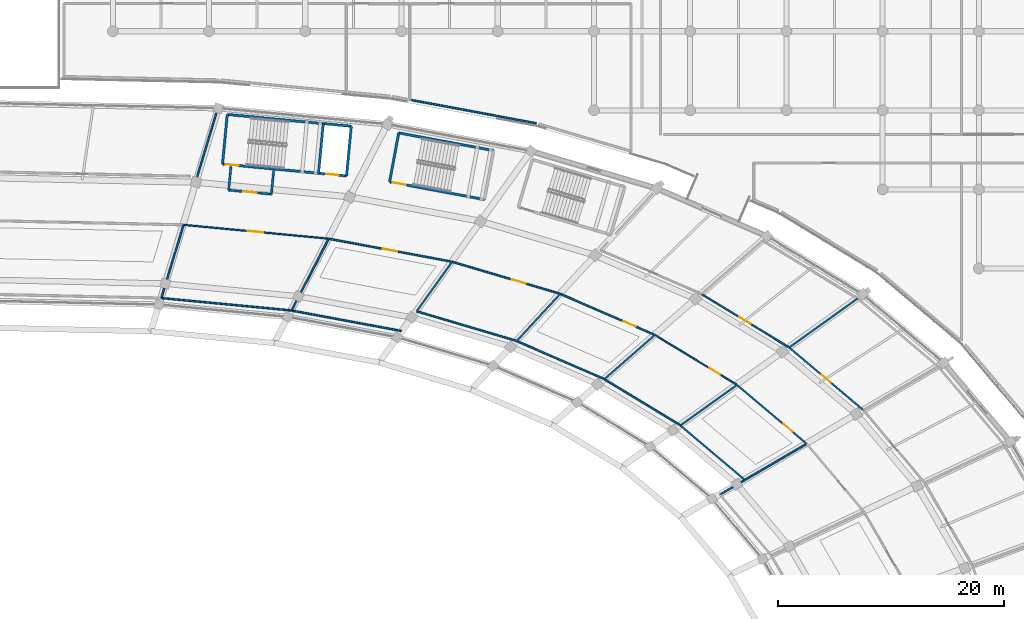
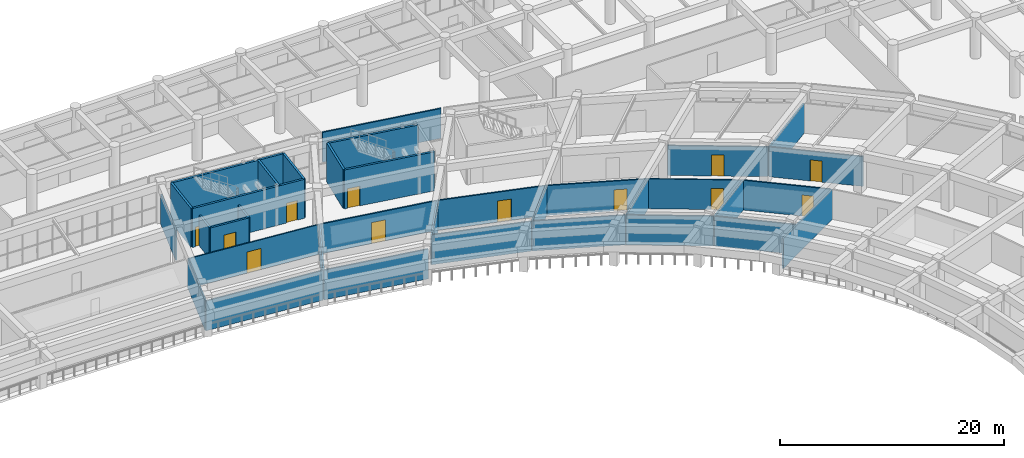
# One storey, part 111 of 145: 35 walls, 12 doors, 12 openings.
"""IFC4 building model written with IfcOpenShell, lengths in metres."""

from ifc_helpers import new_model, si_unit, direction, frame, frame_2d, origin, place, context, subcontext, project, spatial, rectangle, extrude, material, layer, layer_set, type_object, element, fill, save


model = new_model("IFC4")

# Units and contexts
model_context = context("Model", 3, precision=1e-05, world=origin(), true_north=direction((0.0, 1.0)))
body_context = subcontext(model_context, "Body", "Model", "MODEL_VIEW")
ifc_project = project(units=[si_unit("LENGTHUNIT", "METRE"), si_unit("AREAUNIT", "SQUARE_METRE"), si_unit("VOLUMEUNIT", "CUBIC_METRE"), si_unit("PLANEANGLEUNIT", "RADIAN"), si_unit("MASSUNIT", "GRAM", prefix="KILO")], contexts=[model_context])

# Site, building, storey
site_placement = place(None, origin())
site = spatial("IfcSite", under=ifc_project, at=site_placement, CompositionType="ELEMENT")
building_placement = place(site_placement, origin())
building = spatial("IfcBuilding", under=site, at=building_placement, Name="Mphavela Belvedere Stadium", CompositionType="ELEMENT")
storey_placement = place(building_placement, frame((0.0, 0.0, 10.199951171875)))
storey = spatial("IfcBuildingStorey", under=building, at=storey_placement, Name="L02", CompositionType="ELEMENT", Elevation=10.199951171875)

# Walls
ifc_material_1 = material(Name="Concrete C40/50", Category="concrete")
ifc_layer_1 = layer(ifc_material_1, 0.219970703125)
ifc_layer_set_1 = layer_set([ifc_layer_1], Name="Concrete C40/50")
wall_type_1 = type_object("IfcWallType", Name="WAL-CORE-SHEAR-220", PredefinedType="SHEAR", material=ifc_layer_set_1)
wall_1_placement = place(storey_placement, frame((137.908935546875, 159.633544921875, 0.0), z_axis=(0.0, 0.0, 1.0), x_axis=(0.99547962713, -0.094975322952, 0.0)))
element("IfcWall", 1, at=wall_1_placement, inside=storey, type_object=wall_type_1, Name="Core C03 shear wall L02 rear", PredefinedType="SHEAR", context=body_context, shape_type="SweptSolid", body=[
    extrude(rectangle(XDim=11.02001953125, YDim=0.219970703125, at=frame_2d((5.510009765625, 0.0))), origin(), (0.0, 0.0, 1.0), 4.25),
])
wall_2_placement = place(storey_placement, frame((137.489990234375, 155.243408203125, 0.0), z_axis=(0.0, 0.0, 1.0), x_axis=(0.094997189401, 0.995477540684, 0.0)))
element("IfcWall", 2, at=wall_2_placement, inside=storey, type_object=wall_type_1, Name="Core C03 shear wall L02 left", PredefinedType="SHEAR", context=body_context, shape_type="SweptSolid", body=[
    extrude(rectangle(XDim=4.41015625, YDim=0.219970703125, at=frame_2d((2.205078125, 0.0))), origin(), (0.0, 0.0, 1.0), 4.25),
])
wall_3_placement = place(storey_placement, frame((148.460205078125, 154.197021484375, 0.0), z_axis=(0.0, 0.0, 1.0), x_axis=(0.095002424918, 0.995477041051, 0.0)))
element("IfcWall", 3, at=wall_3_placement, inside=storey, type_object=wall_type_1, Name="Core C03 shear wall L02 right", PredefinedType="SHEAR", context=body_context, shape_type="SweptSolid", body=[
    extrude(rectangle(XDim=4.409912109375, YDim=0.219970703125, at=frame_2d((2.205078125, 0.0))), origin(), (0.0, 0.0, 1.0), 4.25),
])

# Wall, openings, doors
wall_4_placement = place(storey_placement, frame((137.489990234375, 155.243408203125, 0.0), z_axis=(0.0, 0.0, 1.0), x_axis=(0.995481721489, -0.094953368458, 0.0)))
wall_4 = element("IfcWall", 4, at=wall_4_placement, inside=storey, type_object=wall_type_1, Name="Core C03 shear wall L02 front", PredefinedType="SHEAR", context=body_context, shape_type="SweptSolid", body=[
    extrude(rectangle(XDim=11.02001953125, YDim=0.219970703125, at=frame_2d((5.510009765625, 0.0))), origin(), (0.0, 0.0, 1.0), 4.25),
])
opening_1_placement = place(wall_4_placement, frame((0.300048828125, 0.0, 0.0)))
opening_1 = element("IfcOpeningElement", 5, at=opening_1_placement, cuts=wall_4, Name="Opening SD-013", PredefinedType="OPENING", context=body_context, shape_type="SweptSolid", body=[
    extrude(rectangle(XDim=1.14990234375, YDim=2.14990234375, at=frame_2d((0.574951171875, 1.074951171875))), frame((0.0, 0.1201171875, 0.0), z_axis=(0.0, -1.0, 0.0), x_axis=(1.0, 0.0, 0.0)), (0.0, 0.0, 1.0), 0.239990234375),
])
opening_2_placement = place(wall_4_placement, frame((9.22998046875, 0.0, 0.0)))
opening_2 = element("IfcOpeningElement", 6, at=opening_2_placement, cuts=wall_4, Name="Opening LD-013", PredefinedType="OPENING", context=body_context, shape_type="SweptSolid", body=[
    extrude(rectangle(XDim=1.10009765625, YDim=2.14990234375, at=frame_2d((0.550048828125, 1.074951171875))), frame((0.0, 0.1201171875, 0.0), z_axis=(0.0, -1.0, 0.0), x_axis=(1.0, 0.0, 0.0)), (0.0, 0.0, 1.0), 0.239990234375),
])
ifc_material_2 = material(Name="Stainless steel center-parting lift landing door", Category="steel")
door_type_1 = type_object("IfcDoorType", Name="DR-LIFT-SLIDE-1100", OperationType="NOTDEFINED", PredefinedType="DOOR", material=ifc_material_2)
door_1_placement = place(opening_2_placement, origin())
door_1 = element("IfcDoor", 7, at=door_1_placement, inside=storey, type_object=door_type_1, Name="Lift landing sliding door FL02 L02", OperationType="DOUBLE_DOOR_SLIDING", OverallHeight=2.14990234375, OverallWidth=1.10009765625, PredefinedType="DOOR", context=body_context, shape_type="SweptSolid", body=[
    extrude(rectangle(XDim=1.10009765625, YDim=2.14990234375, at=frame_2d((0.550048828125, 1.074951171875))), frame((0.0, 0.02490234375, 0.0), z_axis=(0.0, -1.0, 0.0), x_axis=(1.0, 0.0, 0.0)), (0.0, 0.0, 1.0), 0.050048828125),
])
fill(opening_2, door_1)
ifc_material_3 = material(Name="Steel acoustic fire-resisting stair doorset", Category="steel")
door_type_2 = type_object("IfcDoorType", Name="DR-STAIR-FIRE-1150", OperationType="NOTDEFINED", PredefinedType="DOOR", material=ifc_material_3)
door_2_placement = place(opening_1_placement, origin())
door_2 = element("IfcDoor", 8, at=door_2_placement, inside=storey, type_object=door_type_2, Name="Escape stair fire door C03 L02", OperationType="SINGLE_SWING_RIGHT", OverallHeight=2.14990234375, OverallWidth=1.14990234375, PredefinedType="DOOR", context=body_context, shape_type="SweptSolid", body=[
    extrude(rectangle(XDim=1.14990234375, YDim=2.14990234375, at=frame_2d((0.574951171875, 1.074951171875))), frame((0.0, 0.02490234375, 0.0), z_axis=(0.0, -1.0, 0.0), x_axis=(1.0, 0.0, 0.0)), (0.0, 0.0, 1.0), 0.050048828125),
])
fill(opening_1, door_2)

# Walls
wall_5_placement = place(storey_placement, frame((145.991455078125, 154.432373046875, 0.0), z_axis=(0.0, 0.0, 1.0), x_axis=(0.094997189401, 0.995477540684, 0.0)))
element("IfcWall", 9, at=wall_5_placement, inside=storey, type_object=wall_type_1, Name="Core C03 shear wall L02 div", PredefinedType="SHEAR", context=body_context, shape_type="SweptSolid", body=[
    extrude(rectangle(XDim=4.41015625, YDim=0.219970703125, at=frame_2d((2.205078125, 0.0))), origin(), (0.0, 0.0, 1.0), 4.25),
])
wall_6_placement = place(storey_placement, frame((153.0859375, 158.00146484375, 0.0), z_axis=(0.0, 0.0, 1.0), x_axis=(0.983097993869, -0.18308013123, 0.0)))
element("IfcWall", 10, at=wall_6_placement, inside=storey, type_object=wall_type_1, Name="Core P02 shear wall L02 rear", PredefinedType="SHEAR", context=body_context, shape_type="SweptSolid", body=[
    extrude(rectangle(XDim=8.539794921875, YDim=0.219970703125, at=frame_2d((4.27001953125, 0.0))), origin(), (0.0, 0.0, 1.0), 4.25),
])
wall_7_placement = place(storey_placement, frame((152.278564453125, 153.666015625, 0.0), z_axis=(0.0, 0.0, 1.0), x_axis=(0.183078394814, 0.983098317236, 0.0)))
element("IfcWall", 11, at=wall_7_placement, inside=storey, type_object=wall_type_1, Name="Core P02 shear wall L02 left", PredefinedType="SHEAR", context=body_context, shape_type="SweptSolid", body=[
    extrude(rectangle(XDim=4.409912109375, YDim=0.219970703125, at=frame_2d((2.205078125, 0.0))), origin(), (0.0, 0.0, 1.0), 4.25),
])

# Wall, opening, door
wall_8_placement = place(storey_placement, frame((152.278564453125, 153.666015625, 0.0), z_axis=(0.0, 0.0, 1.0), x_axis=(0.983097993869, -0.18308013123, 0.0)))
wall_8 = element("IfcWall", 12, at=wall_8_placement, inside=storey, type_object=wall_type_1, Name="Core P02 shear wall L02 front", PredefinedType="SHEAR", context=body_context, shape_type="SweptSolid", body=[
    extrude(rectangle(XDim=8.539794921875, YDim=0.219970703125, at=frame_2d((4.27001953125, 0.0))), origin(), (0.0, 0.0, 1.0), 4.25),
])
opening_3_placement = place(wall_8_placement, frame((0.300048828125, 0.0, 0.0)))
opening_3 = element("IfcOpeningElement", 13, at=opening_3_placement, cuts=wall_8, Name="Opening SD-074", PredefinedType="OPENING", context=body_context, shape_type="SweptSolid", body=[
    extrude(rectangle(XDim=1.14990234375, YDim=2.14990234375, at=frame_2d((0.574951171875, 1.074951171875))), frame((0.0, 0.1201171875, 0.0), z_axis=(0.0, -1.0, 0.0), x_axis=(1.0, 0.0, 0.0)), (0.0, 0.0, 1.0), 0.239990234375),
])
door_3_placement = place(opening_3_placement, origin())
door_3 = element("IfcDoor", 14, at=door_3_placement, inside=storey, type_object=door_type_2, Name="Escape stair fire door P02 L02", OperationType="SINGLE_SWING_RIGHT", OverallHeight=2.14990234375, OverallWidth=1.14990234375, PredefinedType="DOOR", context=body_context, shape_type="SweptSolid", body=[
    extrude(rectangle(XDim=1.14990234375, YDim=2.14990234375, at=frame_2d((0.574951171875, 1.074951171875))), frame((0.0, 0.02490234375, 0.0), z_axis=(0.0, -1.0, 0.0), x_axis=(1.0, 0.0, 0.0)), (0.0, 0.0, 1.0), 0.050048828125),
])
fill(opening_3, door_3)

ifc_material_4 = material(Name="Moisture-resistant sanitary partition assembly")
ifc_layer_2 = layer(ifc_material_4, 0.125)
ifc_layer_set_2 = layer_set([ifc_layer_2], Name="Moisture-resistant sanitary partition assembly")
wall_type_2 = type_object("IfcWallType", Name="WAL-PART-125", PredefinedType="PARTITIONING", material=ifc_layer_set_2)
wall_9_placement = place(storey_placement, frame((175.762939453125, 140.115966796875, 0.0), z_axis=(0.0, 0.0, 1.0), x_axis=(0.854330104408, -0.519730769439, 0.0)))
wall_9 = element("IfcWall", 15, at=wall_9_placement, inside=storey, type_object=wall_type_2, Name="Room L02-51 corridor partition", PredefinedType="PARTITIONING", context=body_context, shape_type="SweptSolid", body=[
    extrude(rectangle(XDim=8.420166015625, YDim=0.125, at=frame_2d((4.2099609375, 0.0))), origin(), (0.0, 0.0, 1.0), 3.25),
])
opening_4_placement = place(wall_9_placement, frame((5.6640625, 0.0, 0.0)))
opening_4 = element("IfcOpeningElement", 16, at=opening_4_placement, cuts=wall_9, Name="Opening ID-174", PredefinedType="OPENING", context=body_context, shape_type="SweptSolid", body=[
    extrude(rectangle(XDim=1.10009765625, YDim=2.300048828125, at=frame_2d((0.550048828125, 1.14990234375))), frame((0.0, 0.072509765625, 0.0), z_axis=(0.0, -1.0, 0.0), x_axis=(1.0, 0.0, 0.0)), (0.0, 0.0, 1.0), 0.14501953125),
])
ifc_material_5 = material(Name="Hardwood acoustic timber doorset", Category="wood")
door_type_3 = type_object("IfcDoorType", Name="DR-INT-30", OperationType="NOTDEFINED", PredefinedType="DOOR", material=ifc_material_5)
door_4_placement = place(opening_4_placement, origin())
door_4 = element("IfcDoor", 17, at=door_4_placement, inside=storey, type_object=door_type_3, Name="Room L02-51 entrance door ID-174", OperationType="SINGLE_SWING_RIGHT", OverallHeight=2.300048828125, OverallWidth=1.10009765625, PredefinedType="DOOR", context=body_context, shape_type="SweptSolid", body=[
    extrude(rectangle(XDim=1.10009765625, YDim=2.300048828125, at=frame_2d((0.550048828125, 1.14990234375))), frame((0.0, 0.02490234375, 0.0), z_axis=(0.0, -1.0, 0.0), x_axis=(1.0, 0.0, 0.0)), (0.0, 0.0, 1.0), 0.050048828125),
])
fill(opening_4, door_4)

wall_10_placement = place(storey_placement, frame((134.034912109375, 149.8623046875, 0.0), z_axis=(0.0, 0.0, 1.0), x_axis=(0.995485111947, -0.094917816515, 0.0)))
wall_10 = element("IfcWall", 18, at=wall_10_placement, inside=storey, type_object=wall_type_2, Name="Room L02-61 corridor partition", PredefinedType="PARTITIONING", context=body_context, shape_type="SweptSolid", body=[
    extrude(rectangle(XDim=12.822021484375, YDim=0.125, at=frame_2d((6.4111328125, 0.0))), origin(), (0.0, 0.0, 1.0), 3.25),
])
opening_5_placement = place(wall_10_placement, frame((5.7109375, 0.0, 0.0)))
opening_5 = element("IfcOpeningElement", 19, at=opening_5_placement, cuts=wall_10, Name="Opening ID-180", PredefinedType="OPENING", context=body_context, shape_type="SweptSolid", body=[
    extrude(rectangle(XDim=1.39990234375, YDim=2.300048828125, at=frame_2d((0.699951171875, 1.14990234375))), frame((0.0, 0.072509765625, 0.0), z_axis=(0.0, -1.0, 0.0), x_axis=(1.0, 0.0, 0.0)), (0.0, 0.0, 1.0), 0.14501953125),
])
ifc_material_6 = material(Name="Hardwood acoustic timber doorset", Category="wood")
door_type_4 = type_object("IfcDoorType", Name="DR-INT-36", OperationType="NOTDEFINED", PredefinedType="DOOR", material=ifc_material_6)
door_5_placement = place(opening_5_placement, origin())
door_5 = element("IfcDoor", 20, at=door_5_placement, inside=storey, type_object=door_type_4, Name="Room L02-61 entrance door ID-180", OperationType="SINGLE_SWING_RIGHT", OverallHeight=2.300048828125, OverallWidth=1.39990234375, PredefinedType="DOOR", context=body_context, shape_type="SweptSolid", body=[
    extrude(rectangle(XDim=1.39990234375, YDim=2.300048828125, at=frame_2d((0.699951171875, 1.14990234375))), frame((0.0, 0.02490234375, 0.0), z_axis=(0.0, -1.0, 0.0), x_axis=(1.0, 0.0, 0.0)), (0.0, 0.0, 1.0), 0.050048828125),
])
fill(opening_5, door_5)

ifc_material_7 = material(Name="Acoustic gypsum stud partition assembly")
ifc_layer_3 = layer(ifc_material_7, 0.14990234375)
ifc_layer_set_3 = layer_set([ifc_layer_3], Name="Acoustic gypsum stud partition assembly")
wall_type_3 = type_object("IfcWallType", Name="WAL-PART-150", PredefinedType="PARTITIONING", material=ifc_layer_set_3)
wall_11_placement = place(storey_placement, frame((183.027099609375, 135.69189453125, 0.0), z_axis=(0.0, 0.0, 1.0), x_axis=(0.764249122867, -0.644921141068, 0.0)))
wall_11 = element("IfcWall", 21, at=wall_11_placement, inside=storey, type_object=wall_type_3, Name="Room L02-48 corridor partition", PredefinedType="PARTITIONING", context=body_context, shape_type="SweptSolid", body=[
    extrude(rectangle(XDim=7.989501953125, YDim=0.14990234375, at=frame_2d((3.99462890625, 0.0))), origin(), (0.0, 0.0, 1.0), 3.25),
])
opening_6_placement = place(wall_11_placement, frame((5.383544921875, 0.0, 0.0)))
opening_6 = element("IfcOpeningElement", 22, at=opening_6_placement, cuts=wall_11, Name="Opening ID-172", PredefinedType="OPENING", context=body_context, shape_type="SweptSolid", body=[
    extrude(rectangle(XDim=1.02001953125, YDim=2.300048828125, at=frame_2d((0.510009765625, 1.14990234375))), frame((0.0, 0.0849609375, 0.0), z_axis=(0.0, -1.0, 0.0), x_axis=(1.0, 0.0, 0.0)), (0.0, 0.0, 1.0), 0.169921875),
])
ifc_material_8 = material(Name="Hardwood acoustic timber doorset", Category="wood")
door_type_5 = type_object("IfcDoorType", Name="DR-INT-28", OperationType="NOTDEFINED", PredefinedType="DOOR", material=ifc_material_8)
door_6_placement = place(opening_6_placement, origin())
door_6 = element("IfcDoor", 23, at=door_6_placement, inside=storey, type_object=door_type_5, Name="Room L02-48 entrance door ID-172", OperationType="SINGLE_SWING_RIGHT", OverallHeight=2.300048828125, OverallWidth=1.02001953125, PredefinedType="DOOR", context=body_context, shape_type="SweptSolid", body=[
    extrude(rectangle(XDim=1.02001953125, YDim=2.300048828125, at=frame_2d((0.510009765625, 1.14990234375))), frame((0.0, 0.02490234375, 0.0), z_axis=(0.0, -1.0, 0.0), x_axis=(1.0, 0.0, 0.0)), (0.0, 0.0, 1.0), 0.050048828125),
])
fill(opening_6, door_6)

wall_12_placement = place(storey_placement, frame((194.1748046875, 133.4970703125, 0.0), z_axis=(0.0, 0.0, 1.0), x_axis=(-0.764257572309, 0.644911128117, 0.0)))
wall_12 = element("IfcWall", 24, at=wall_12_placement, inside=storey, type_object=wall_type_3, Name="Room L02-49 corridor partition", PredefinedType="PARTITIONING", context=body_context, shape_type="SweptSolid", body=[
    extrude(rectangle(XDim=8.53857421875, YDim=0.14990234375, at=frame_2d((4.269287109375, 0.0))), origin(), (0.0, 0.0, 1.0), 3.25),
])
opening_7_placement = place(wall_12_placement, frame((3.7392578125, 0.0, 0.0)))
opening_7 = element("IfcOpeningElement", 25, at=opening_7_placement, cuts=wall_12, Name="Opening ID-173", PredefinedType="OPENING", context=body_context, shape_type="SweptSolid", body=[
    extrude(rectangle(XDim=1.06005859375, YDim=2.300048828125, at=frame_2d((0.530029296875, 1.14990234375))), frame((0.0, 0.0849609375, 0.0), z_axis=(0.0, -1.0, 0.0), x_axis=(1.0, 0.0, 0.0)), (0.0, 0.0, 1.0), 0.169921875),
])
ifc_material_9 = material(Name="Hardwood acoustic timber doorset", Category="wood")
door_type_6 = type_object("IfcDoorType", Name="DR-INT-29", OperationType="NOTDEFINED", PredefinedType="DOOR", material=ifc_material_9)
door_7_placement = place(opening_7_placement, origin())
door_7 = element("IfcDoor", 26, at=door_7_placement, inside=storey, type_object=door_type_6, Name="Room L02-49 entrance door ID-173", OperationType="SINGLE_SWING_LEFT", OverallHeight=2.300048828125, OverallWidth=1.06005859375, PredefinedType="DOOR", context=body_context, shape_type="SweptSolid", body=[
    extrude(rectangle(XDim=1.06005859375, YDim=2.300048828125, at=frame_2d((0.530029296875, 1.14990234375))), frame((0.0, 0.02490234375, 0.0), z_axis=(0.0, -1.0, 0.0), x_axis=(1.0, 0.0, 0.0)), (0.0, 0.0, 1.0), 0.050048828125),
])
fill(opening_7, door_7)

wall_13_placement = place(storey_placement, frame((187.582275390625, 139.05419921875, 0.0), z_axis=(0.0, 0.0, 1.0), x_axis=(-0.854321649351, 0.519744667554, 0.0)))
wall_13 = element("IfcWall", 27, at=wall_13_placement, inside=storey, type_object=wall_type_3, Name="Room L02-52 corridor partition", PredefinedType="PARTITIONING", context=body_context, shape_type="SweptSolid", body=[
    extrude(rectangle(XDim=8.99853515625, YDim=0.14990234375, at=frame_2d((4.499267578125, 0.0))), origin(), (0.0, 0.0, 1.0), 3.25),
])
opening_8_placement = place(wall_13_placement, frame((3.92919921875, 0.0, 0.0)))
opening_8 = element("IfcOpeningElement", 28, at=opening_8_placement, cuts=wall_13, Name="Opening ID-175", PredefinedType="OPENING", context=body_context, shape_type="SweptSolid", body=[
    extrude(rectangle(XDim=1.139892578125, YDim=2.300048828125, at=frame_2d((0.56982421875, 1.14990234375))), frame((0.0, 0.0849609375, 0.0), z_axis=(0.0, -1.0, 0.0), x_axis=(1.0, 0.0, 0.0)), (0.0, 0.0, 1.0), 0.169921875),
])
ifc_material_10 = material(Name="Hardwood acoustic timber doorset", Category="wood")
door_type_7 = type_object("IfcDoorType", Name="DR-INT-31", OperationType="NOTDEFINED", PredefinedType="DOOR", material=ifc_material_10)
door_8_placement = place(opening_8_placement, origin())
door_8 = element("IfcDoor", 29, at=door_8_placement, inside=storey, type_object=door_type_7, Name="Room L02-52 entrance door ID-175", OperationType="SINGLE_SWING_LEFT", OverallHeight=2.300048828125, OverallWidth=1.139892578125, PredefinedType="DOOR", context=body_context, shape_type="SweptSolid", body=[
    extrude(rectangle(XDim=1.139892578125, YDim=2.300048828125, at=frame_2d((0.56982421875, 1.14990234375))), frame((0.0, 0.02490234375, 0.0), z_axis=(0.0, -1.0, 0.0), x_axis=(1.0, 0.0, 0.0)), (0.0, 0.0, 1.0), 0.050048828125),
])
fill(opening_8, door_8)

wall_14_placement = place(storey_placement, frame((167.382080078125, 143.753173828125, 0.0), z_axis=(0.0, 0.0, 1.0), x_axis=(0.917494590455, -0.397748257677, 0.0)))
wall_14 = element("IfcWall", 30, at=wall_14_placement, inside=storey, type_object=wall_type_3, Name="Room L02-54 corridor partition", PredefinedType="PARTITIONING", context=body_context, shape_type="SweptSolid", body=[
    extrude(rectangle(XDim=9.04931640625, YDim=0.14990234375, at=frame_2d((4.524658203125, 0.0))), origin(), (0.0, 0.0, 1.0), 3.25),
])
opening_9_placement = place(wall_14_placement, frame((6.103515625, 0.0, 0.0)))
opening_9 = element("IfcOpeningElement", 31, at=opening_9_placement, cuts=wall_14, Name="Opening ID-176", PredefinedType="OPENING", context=body_context, shape_type="SweptSolid", body=[
    extrude(rectangle(XDim=1.179931640625, YDim=2.300048828125, at=frame_2d((0.58984375, 1.14990234375))), frame((0.0, 0.0849609375, 0.0), z_axis=(0.0, -1.0, 0.0), x_axis=(1.0, 0.0, 0.0)), (0.0, 0.0, 1.0), 0.169921875),
])
ifc_material_11 = material(Name="Hardwood acoustic timber doorset", Category="wood")
door_type_8 = type_object("IfcDoorType", Name="DR-INT-32", OperationType="NOTDEFINED", PredefinedType="DOOR", material=ifc_material_11)
door_9_placement = place(opening_9_placement, origin())
door_9 = element("IfcDoor", 32, at=door_9_placement, inside=storey, type_object=door_type_8, Name="Room L02-54 entrance door ID-176", OperationType="SINGLE_SWING_RIGHT", OverallHeight=2.300048828125, OverallWidth=1.179931640625, PredefinedType="DOOR", context=body_context, shape_type="SweptSolid", body=[
    extrude(rectangle(XDim=1.179931640625, YDim=2.300048828125, at=frame_2d((0.58984375, 1.14990234375))), frame((0.0, 0.02490234375, 0.0), z_axis=(0.0, -1.0, 0.0), x_axis=(1.0, 0.0, 0.0)), (0.0, 0.0, 1.0), 0.050048828125),
])
fill(opening_9, door_9)

wall_15_placement = place(storey_placement, frame((157.816650390625, 146.595703125, 0.0), z_axis=(0.0, 0.0, 1.0), x_axis=(0.958655809656, -0.284568161629, 0.0)))
wall_15 = element("IfcWall", 33, at=wall_15_placement, inside=storey, type_object=wall_type_3, Name="Room L02-57 corridor partition", PredefinedType="PARTITIONING", context=body_context, shape_type="SweptSolid", body=[
    extrude(rectangle(XDim=9.89111328125, YDim=0.14990234375, at=frame_2d((4.945556640625, 0.0))), origin(), (0.0, 0.0, 1.0), 3.25),
])
opening_10_placement = place(wall_15_placement, frame((5.51416015625, 0.0, 0.0)))
opening_10 = element("IfcOpeningElement", 34, at=opening_10_placement, cuts=wall_15, Name="Opening ID-178", PredefinedType="OPENING", context=body_context, shape_type="SweptSolid", body=[
    extrude(rectangle(XDim=1.260009765625, YDim=2.300048828125, at=frame_2d((0.6298828125, 1.14990234375))), frame((0.0, 0.0849609375, 0.0), z_axis=(0.0, -1.0, 0.0), x_axis=(1.0, 0.0, 0.0)), (0.0, 0.0, 1.0), 0.169921875),
])
ifc_material_12 = material(Name="Hardwood acoustic timber doorset", Category="wood")
door_type_9 = type_object("IfcDoorType", Name="DR-INT-34", OperationType="NOTDEFINED", PredefinedType="DOOR", material=ifc_material_12)
door_10_placement = place(opening_10_placement, origin())
door_10 = element("IfcDoor", 35, at=door_10_placement, inside=storey, type_object=door_type_9, Name="Room L02-57 entrance door ID-178", OperationType="SINGLE_SWING_RIGHT", OverallHeight=2.300048828125, OverallWidth=1.260009765625, PredefinedType="DOOR", context=body_context, shape_type="SweptSolid", body=[
    extrude(rectangle(XDim=1.260009765625, YDim=2.300048828125, at=frame_2d((0.6298828125, 1.14990234375))), frame((0.0, 0.02490234375, 0.0), z_axis=(0.0, -1.0, 0.0), x_axis=(1.0, 0.0, 0.0)), (0.0, 0.0, 1.0), 0.050048828125),
])
fill(opening_10, door_10)

wall_16_placement = place(storey_placement, frame((146.883544921875, 148.634521484375, 0.0), z_axis=(0.0, 0.0, 1.0), x_axis=(0.983097372707, -0.183083466695, 0.0)))
wall_16 = element("IfcWall", 36, at=wall_16_placement, inside=storey, type_object=wall_type_3, Name="Room L02-59 corridor partition", PredefinedType="PARTITIONING", context=body_context, shape_type="SweptSolid", body=[
    extrude(rectangle(XDim=11.03466796875, YDim=0.14990234375, at=frame_2d((5.517333984375, 0.0))), origin(), (0.0, 0.0, 1.0), 3.25),
])
opening_11_placement = place(wall_16_placement, frame((4.857421875, 0.0, 0.0)))
opening_11 = element("IfcOpeningElement", 37, at=opening_11_placement, cuts=wall_16, Name="Opening ID-179", PredefinedType="OPENING", context=body_context, shape_type="SweptSolid", body=[
    extrude(rectangle(XDim=1.320068359375, YDim=2.300048828125, at=frame_2d((0.66015625, 1.14990234375))), frame((0.0, 0.0849609375, 0.0), z_axis=(0.0, -1.0, 0.0), x_axis=(1.0, 0.0, 0.0)), (0.0, 0.0, 1.0), 0.169921875),
])
ifc_material_13 = material(Name="Hardwood acoustic timber doorset", Category="wood")
door_type_10 = type_object("IfcDoorType", Name="DR-INT-35", OperationType="NOTDEFINED", PredefinedType="DOOR", material=ifc_material_13)
door_11_placement = place(opening_11_placement, origin())
door_11 = element("IfcDoor", 38, at=door_11_placement, inside=storey, type_object=door_type_10, Name="Room L02-59 entrance door ID-179", OperationType="SINGLE_SWING_LEFT", OverallHeight=2.300048828125, OverallWidth=1.320068359375, PredefinedType="DOOR", context=body_context, shape_type="SweptSolid", body=[
    extrude(rectangle(XDim=1.320068359375, YDim=2.300048828125, at=frame_2d((0.66015625, 1.14990234375))), frame((0.0, 0.02490234375, 0.0), z_axis=(0.0, -1.0, 0.0), x_axis=(1.0, 0.0, 0.0)), (0.0, 0.0, 1.0), 0.050048828125),
])
fill(opening_11, door_11)

# Walls
wall_17_placement = place(storey_placement, frame((181.525390625, 125.983154296875, 0.0), z_axis=(0.0, 0.0, 1.0), x_axis=(0.862518193496, 0.506026052579, 0.0)))
element("IfcWall", 39, at=wall_17_placement, inside=storey, type_object=wall_type_3, Name="Room divider partition L02-0302", PredefinedType="PARTITIONING", context=body_context, shape_type="SweptSolid", body=[
    extrude(rectangle(XDim=8.889892578125, YDim=0.14990234375, at=frame_2d((4.44482421875, 0.0))), origin(), (0.0, 0.0, 1.0), 3.25),
])
wall_18_placement = place(storey_placement, frame((183.66748046875, 127.33251953125, 0.0), z_axis=(0.0, 0.0, 1.0), x_axis=(-0.764244698435, 0.644926384104, 0.0)))
element("IfcWall", 40, at=wall_18_placement, inside=storey, type_object=wall_type_3, Name="Room divider partition L02-0305", PredefinedType="PARTITIONING", context=body_context, shape_type="SweptSolid", body=[
    extrude(rectangle(XDim=7.394775390625, YDim=0.14990234375, at=frame_2d((3.697265625, 0.0))), origin(), (0.0, 0.0, 1.0), 3.25),
])
wall_19_placement = place(storey_placement, frame((178.01611328125, 132.1015625, 0.0), z_axis=(0.0, 0.0, 1.0), x_axis=(0.812884316969, 0.582425177362, 0.0)))
element("IfcWall", 41, at=wall_19_placement, inside=storey, type_object=wall_type_3, Name="Room divider partition L02-0306", PredefinedType="PARTITIONING", context=body_context, shape_type="SweptSolid", body=[
    extrude(rectangle(XDim=6.16455078125, YDim=0.14990234375, at=frame_2d((3.082275390625, 0.0))), origin(), (0.0, 0.0, 1.0), 3.25),
])
wall_20_placement = place(storey_placement, frame((187.649169921875, 139.003662109375, 0.0), z_axis=(0.0, 0.0, 1.0), x_axis=(0.812884613266, 0.582424763824, 0.0)))
element("IfcWall", 42, at=wall_20_placement, inside=storey, type_object=wall_type_3, Name="Room divider partition L02-0307", PredefinedType="PARTITIONING", context=body_context, shape_type="SweptSolid", body=[
    extrude(rectangle(XDim=7.450439453125, YDim=0.14990234375, at=frame_2d((3.72509765625, 0.0))), origin(), (0.0, 0.0, 1.0), 3.25),
])
wall_21_placement = place(storey_placement, frame((177.94921875, 132.152099609375, 0.0), z_axis=(0.0, 0.0, 1.0), x_axis=(-0.854328586702, 0.519733264226, 0.0)))
element("IfcWall", 43, at=wall_21_placement, inside=storey, type_object=wall_type_3, Name="Room divider partition L02-0309", PredefinedType="PARTITIONING", context=body_context, shape_type="SweptSolid", body=[
    extrude(rectangle(XDim=7.79345703125, YDim=0.14990234375, at=frame_2d((3.896728515625, 0.0))), origin(), (0.0, 0.0, 1.0), 3.25),
])
wall_22_placement = place(storey_placement, frame((171.291015625, 136.20263671875, 0.0), z_axis=(0.0, 0.0, 1.0), x_axis=(0.752543608061, 0.658542419261, 0.0)))
element("IfcWall", 44, at=wall_22_placement, inside=storey, type_object=wall_type_3, Name="Room divider partition L02-0310", PredefinedType="PARTITIONING", context=body_context, shape_type="SweptSolid", body=[
    extrude(rectangle(XDim=5.9423828125, YDim=0.14990234375, at=frame_2d((2.97119140625, 0.0))), origin(), (0.0, 0.0, 1.0), 3.25),
])
wall_23_placement = place(storey_placement, frame((171.21630859375, 136.24365234375, 0.0), z_axis=(0.0, 0.0, 1.0), x_axis=(-0.917493946853, 0.397749742286, 0.0)))
element("IfcWall", 45, at=wall_23_placement, inside=storey, type_object=wall_type_3, Name="Room divider partition L02-0313", PredefinedType="PARTITIONING", context=body_context, shape_type="SweptSolid", body=[
    extrude(rectangle(XDim=8.377197265625, YDim=0.14990234375, at=frame_2d((4.1884765625, 0.0))), origin(), (0.0, 0.0, 1.0), 3.25),
])
wall_24_placement = place(storey_placement, frame((163.5302734375, 139.57568359375, 0.0), z_axis=(0.0, 0.0, 1.0), x_axis=(0.677867773629, 0.735183841958, 0.0)))
element("IfcWall", 46, at=wall_24_placement, inside=storey, type_object=wall_type_3, Name="Room divider partition L02-0314", PredefinedType="PARTITIONING", context=body_context, shape_type="SweptSolid", body=[
    extrude(rectangle(XDim=5.68212890625, YDim=0.14990234375, at=frame_2d((2.841064453125, 0.0))), origin(), (0.0, 0.0, 1.0), 3.25),
])
wall_25_placement = place(storey_placement, frame((163.4501953125, 139.606689453125, 0.0), z_axis=(0.0, 0.0, 1.0), x_axis=(-0.958661639872, 0.284548520005, 0.0)))
element("IfcWall", 47, at=wall_25_placement, inside=storey, type_object=wall_type_3, Name="Room divider partition L02-0317", PredefinedType="PARTITIONING", context=body_context, shape_type="SweptSolid", body=[
    extrude(rectangle(XDim=9.157470703125, YDim=0.14990234375, at=frame_2d((4.57861328125, 0.0))), origin(), (0.0, 0.0, 1.0), 3.25),
])
wall_26_placement = place(storey_placement, frame((154.67138671875, 142.21240234375, 0.0), z_axis=(0.0, 0.0, 1.0), x_axis=(0.582996203878, 0.812474877313, 0.0)))
element("IfcWall", 48, at=wall_26_placement, inside=storey, type_object=wall_type_3, Name="Room divider partition L02-0318", PredefinedType="PARTITIONING", context=body_context, shape_type="SweptSolid", body=[
    extrude(rectangle(XDim=5.39501953125, YDim=0.14990234375, at=frame_2d((2.697509765625, 0.0))), origin(), (0.0, 0.0, 1.0), 3.25),
])
wall_27_placement = place(storey_placement, frame((153.31982421875, 140.466552734375, 0.0), z_axis=(0.0, 0.0, 1.0), x_axis=(-0.98309647403, 0.183088292225, 0.0)))
element("IfcWall", 49, at=wall_27_placement, inside=storey, type_object=wall_type_3, Name="Room divider partition L02-0319", PredefinedType="PARTITIONING", context=body_context, shape_type="SweptSolid", body=[
    extrude(rectangle(XDim=9.8876953125, YDim=0.14990234375, at=frame_2d((4.94384765625, 0.0))), origin(), (0.0, 0.0, 1.0), 3.25),
])
wall_28_placement = place(storey_placement, frame((143.599365234375, 142.27685546875, 0.0), z_axis=(0.0, 0.0, 1.0), x_axis=(0.458952278776, 0.888460919685, 0.0)))
element("IfcWall", 50, at=wall_28_placement, inside=storey, type_object=wall_type_3, Name="Room divider partition L02-0320", PredefinedType="PARTITIONING", context=body_context, shape_type="SweptSolid", body=[
    extrude(rectangle(XDim=7.15576171875, YDim=0.14990234375, at=frame_2d((3.577880859375, 0.0))), origin(), (0.0, 0.0, 1.0), 3.25),
])
wall_29_placement = place(storey_placement, frame((143.51611328125, 142.289794921875, 0.0), z_axis=(0.0, 0.0, 1.0), x_axis=(-0.995484580871, 0.094923386203, 0.0)))
element("IfcWall", 51, at=wall_29_placement, inside=storey, type_object=wall_type_3, Name="Room divider partition L02-0321", PredefinedType="PARTITIONING", context=body_context, shape_type="SweptSolid", body=[
    extrude(rectangle(XDim=11.49169921875, YDim=0.14990234375, at=frame_2d((5.745849609375, 0.0))), origin(), (0.0, 0.0, 1.0), 3.25),
])
wall_30_placement = place(storey_placement, frame((132.076416015625, 143.380615234375, 0.0), z_axis=(0.0, 0.0, 1.0), x_axis=(0.289242753829, 0.95725578053, 0.0)))
element("IfcWall", 52, at=wall_30_placement, inside=storey, type_object=wall_type_3, Name="Room divider partition L02-0322", PredefinedType="PARTITIONING", context=body_context, shape_type="SweptSolid", body=[
    extrude(rectangle(XDim=6.77099609375, YDim=0.14990234375, at=frame_2d((3.385498046875, 0.0))), origin(), (0.0, 0.0, 1.0), 3.25),
])
wall_31_placement = place(storey_placement, frame((136.931640625, 159.726806640625, 0.0), z_axis=(0.0, 0.0, 1.0), x_axis=(-0.289195444178, -0.957270074256, 0.0)))
element("IfcWall", 53, at=wall_31_placement, inside=storey, type_object=wall_type_3, Name="Room divider partition L02-0326", PredefinedType="PARTITIONING", context=body_context, shape_type="SweptSolid", body=[
    extrude(rectangle(XDim=5.8173828125, YDim=0.14990234375, at=frame_2d((2.90869140625, 0.0))), origin(), (0.0, 0.0, 1.0), 3.25),
])
wall_32_placement = place(storey_placement, frame((165.2587890625, 158.8544921875, 0.0), z_axis=(0.0, 0.0, 1.0), x_axis=(-0.983091639371, 0.183114250127, 0.0)))
element("IfcWall", 54, at=wall_32_placement, inside=storey, type_object=wall_type_3, Name="Room divider partition L02-1037", PredefinedType="PARTITIONING", context=body_context, shape_type="SweptSolid", body=[
    extrude(rectangle(XDim=11.223388671875, YDim=0.14990234375, at=frame_2d((5.61181640625, 0.0))), origin(), (0.0, 0.0, 1.0), 3.25),
])

# Wall, opening, door
ifc_material_14 = material(Name="Fire-rated calcium silicate partition assembly")
ifc_layer_4 = layer(ifc_material_14, 0.199951171875)
ifc_layer_set_4 = layer_set([ifc_layer_4], Name="Fire-rated calcium silicate partition assembly")
wall_type_4 = type_object("IfcWallType", Name="WAL-PART-FF-200", PredefinedType="PARTITIONING", material=ifc_layer_set_4)
wall_33_placement = place(storey_placement, frame((138.033447265625, 152.9365234375, 0.0), z_axis=(0.0, 0.0, 1.0), x_axis=(0.995481022971, -0.094960691361, 0.0)))
wall_33 = element("IfcWall", 55, at=wall_33_placement, inside=storey, type_object=wall_type_4, Name="Firefighting lobby front wall C03 L02", PredefinedType="PARTITIONING", context=body_context, shape_type="SweptSolid", body=[
    extrude(rectangle(XDim=3.7998046875, YDim=0.199951171875, at=frame_2d((1.89990234375, 0.0))), origin(), (0.0, 0.0, 1.0), 3.35009765625),
])
opening_12_placement = place(wall_33_placement, frame((1.300048828125, 0.0, 0.0)))
opening_12 = element("IfcOpeningElement", 56, at=opening_12_placement, cuts=wall_33, Name="Opening FD-008", PredefinedType="OPENING", context=body_context, shape_type="SweptSolid", body=[
    extrude(rectangle(XDim=1.199951171875, YDim=2.179931640625, at=frame_2d((0.60009765625, 1.08984375))), frame((0.0, 0.10986328125, 0.0), z_axis=(0.0, -1.0, 0.0), x_axis=(1.0, 0.0, 0.0)), (0.0, 0.0, 1.0), 0.219970703125),
])
ifc_material_15 = material(Name="Steel smoke-sealed firefighting lobby doorset", Category="steel")
door_type_11 = type_object("IfcDoorType", Name="DR-FF-LOBBY-1200", OperationType="NOTDEFINED", PredefinedType="DOOR", material=ifc_material_15)
door_12_placement = place(opening_12_placement, origin())
door_12 = element("IfcDoor", 57, at=door_12_placement, inside=storey, type_object=door_type_11, Name="Firefighting lobby door C03 L02", OperationType="SINGLE_SWING_LEFT", OverallHeight=2.179931640625, OverallWidth=1.199951171875, PredefinedType="DOOR", context=body_context, shape_type="SweptSolid", body=[
    extrude(rectangle(XDim=1.199951171875, YDim=2.179931640625, at=frame_2d((0.60009765625, 1.08984375))), frame((0.0, 0.02490234375, 0.0), z_axis=(0.0, -1.0, 0.0), x_axis=(1.0, 0.0, 0.0)), (0.0, 0.0, 1.0), 0.050048828125),
])
fill(opening_12, door_12)

# Walls
for number, where, z_axis, x_axis, name in (
    (58, (138.033447265625, 152.9365234375, 0.0), (0.0, 0.0, 1.0), (0.095010174536, 0.995476301443, 0.0), "Firefighting lobby side wall L C03 L02"),
    (59, (141.816162109375, 152.57568359375, 0.0), (0.0, 0.0, 1.0), (0.095010174536, 0.995476301443, 0.0), "Firefighting lobby side wall R C03 L02"),
):
    element("IfcWall", number, at=place(storey_placement, frame(where, z_axis=z_axis, x_axis=x_axis)), inside=storey, type_object=wall_type_4, Name=name, PredefinedType="PARTITIONING", context=body_context, shape_type="SweptSolid", body=[
        extrude(rectangle(XDim=2.119873046875, YDim=0.199951171875, at=frame_2d((1.06005859375, 0.0))), origin(), (0.0, 0.0, 1.0), 3.35009765625),
    ])

save(model, "model.ifc")
